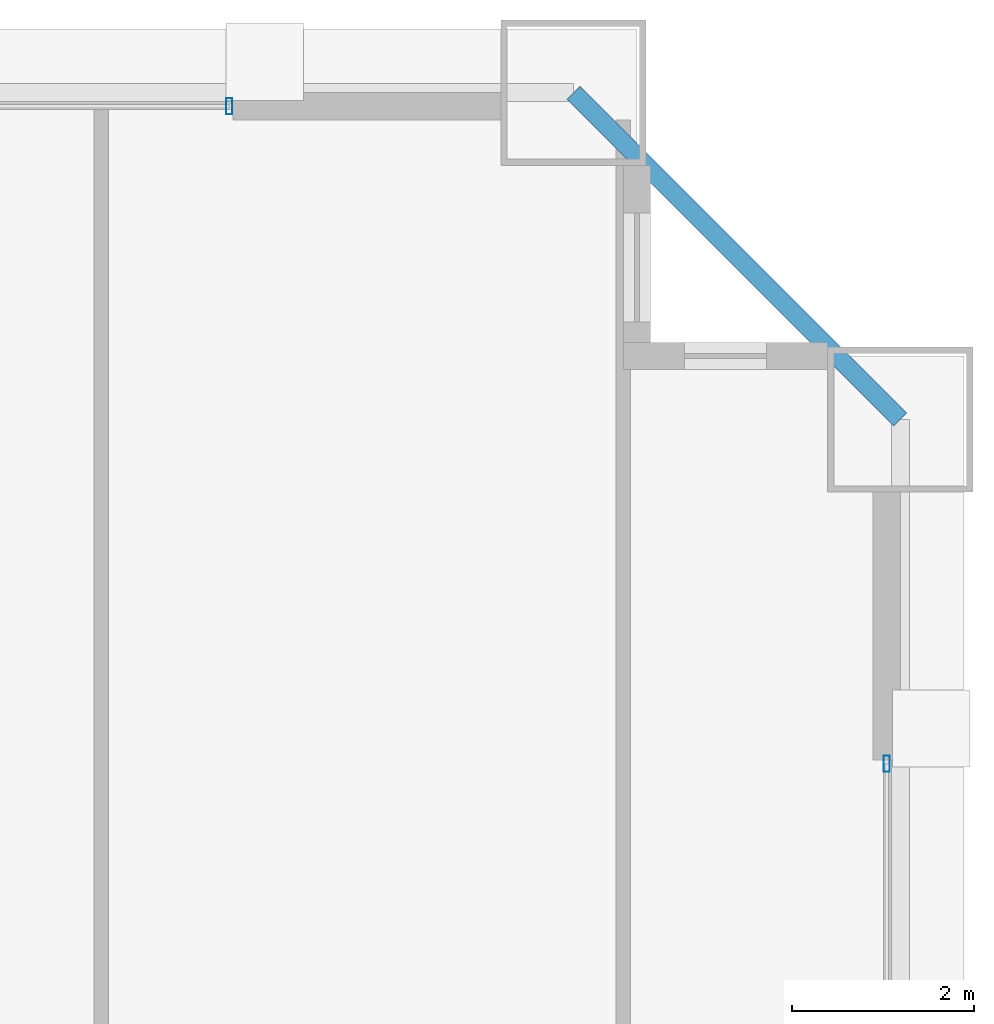
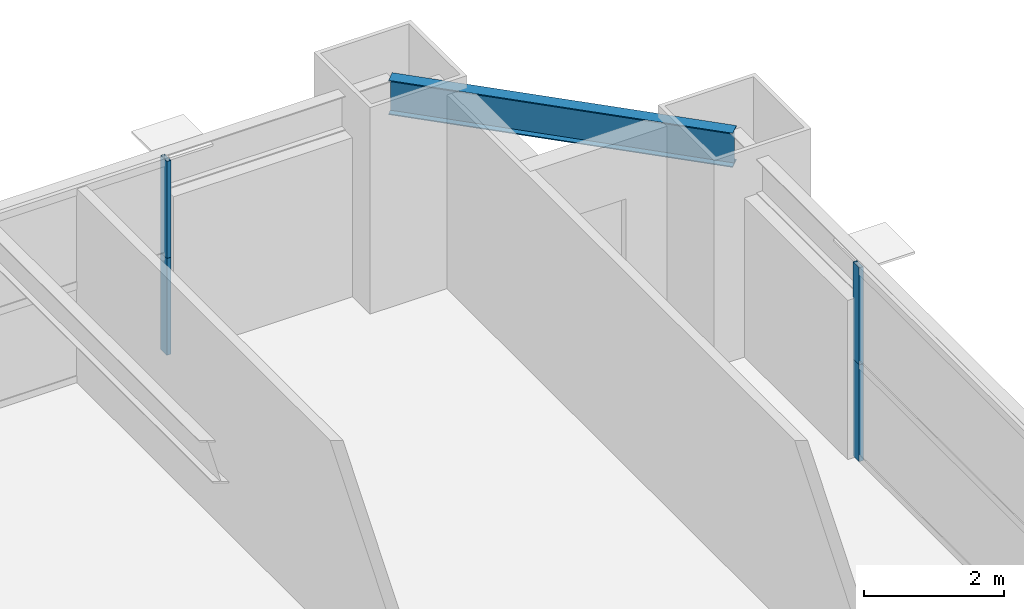
# One storey, part 33 of 39: 4 members, 1 beam, 2 elements without a shape of their own.
"""IFC4 building model written with IfcOpenShell, lengths in metres."""

from ifc_helpers import new_model, si_unit, direction, frame, origin, origin_2d, place, context, subcontext, project, spatial, hollow_rectangle, i_section, extrude, source, transform, mapped, material, layer, layer_set, material_profile, profile_set, type_object, element, aggregate, save


model = new_model("IFC4")

# Units and contexts
model_context = context("Model", 3, precision=1e-05, world=origin(), true_north=direction((0.0, 1.0)))
body_context = subcontext(model_context, "Body", "Model", "MODEL_VIEW")
ifc_project = project(units=[si_unit("LENGTHUNIT", "METRE"), si_unit("AREAUNIT", "SQUARE_METRE"), si_unit("VOLUMEUNIT", "CUBIC_METRE"), si_unit("PLANEANGLEUNIT", "RADIAN"), si_unit("MASSUNIT", "GRAM", prefix="KILO"), si_unit("THERMODYNAMICTEMPERATUREUNIT", "KELVIN"), si_unit("POWERUNIT", "WATT")], contexts=[model_context])

# Site, building, storey
site_placement = place(None, origin())
site = spatial("IfcSite", under=ifc_project, at=site_placement, CompositionType="ELEMENT")
building_placement = place(site_placement, origin())
building = spatial("IfcBuilding", under=site, at=building_placement, Name="Yuzanri Waterfront Tower", CompositionType="ELEMENT")
storey_placement = place(building_placement, frame((0.0, 0.0, 148.800048828125)))
storey = spatial("IfcBuildingStorey", under=building, at=storey_placement, Name="L39", CompositionType="ELEMENT", Elevation=148.800048828125)

# Beam
ifc_material_1 = material(Name="Steel Q355B", Category="steel")
ifc_material_profile_1 = material_profile(ifc_material_1, i_section(OverallWidth=0.199951171875, OverallDepth=0.60009765625, WebThickness=0.010986328125, FlangeThickness=0.01708984375, at=origin_2d()), Name="HN 600x200x11x17")
ifc_profile_set_1 = profile_set([ifc_material_profile_1], Name="Steel Q355B")
beam_type = type_object("IfcBeamType", Name="Perimeter Spandrel Q355B HN 600x200", PredefinedType="SPANDREL", material=ifc_profile_set_1)
shared_shape_1 = source(origin(), body_context, "Body", "SweptSolid", [
    extrude(i_section(OverallWidth=0.199951171875, OverallDepth=0.60009765625, WebThickness=0.010986328125, FlangeThickness=0.01708984375, at=origin_2d()), origin(), (0.0, 0.0, 1.0), 5.091064453125),
])
beam_placement = place(storey_placement, frame((60.60009765625, 45.800048828125, 3.079833984375), z_axis=(-0.707130757816, 0.707082803744, 0.0), x_axis=(-0.707082803744, -0.707130757816, 0.0)))
element("IfcBeam", 1, at=beam_placement, inside=storey, type_object=beam_type, Name="L39 Perimeter Spandrel E3-N3", PredefinedType="SPANDREL", context=body_context, shape_type="MappedRepresentation", body=[
    mapped(shared_shape_1, transform((0.0, 0.0, 0.0), scale=1.0)),
])

# Curtain wall, members
ifc_material_2 = material(Name="Anodized Architectural Bronze", Category="metal")
ifc_layer = layer(ifc_material_2, 0.159912109375)
ifc_layer_set = layer_set([ifc_layer], Name="Anodized Architectural Bronze")
curtain_wall_type = type_object("IfcCurtainWallType", Name="Anodized Bronze Hotel Upper-Tier Solar-Control Unitized Curtain Wall 7800", PredefinedType="NOTDEFINED", material=ifc_layer_set)
curtain_wall_1_placement = place(storey_placement, origin())
curtain_wall_1 = element("IfcCurtainWall", 2, at=curtain_wall_1_placement, inside=storey, type_object=curtain_wall_type, Name="L39 Curtain Wall CW-L39-NR", PredefinedType="NOTDEFINED")
ifc_material_3 = material(Name="Anodized Architectural Bronze", Category="metal")
ifc_material_profile_2 = material_profile(ifc_material_3, hollow_rectangle(XDim=0.070068359375, YDim=0.179931640625, WallThickness=0.00390625, at=origin_2d()), Name="CWM 70x180")
ifc_profile_set_2 = profile_set([ifc_material_profile_2], Name="Anodized Architectural Bronze")
member_type = type_object("IfcMemberType", Name="Anodized Bronze Standard Curtain-Wall Mullion 70x180", PredefinedType="MULLION", material=ifc_profile_set_2)
shared_shape_2 = source(origin(), body_context, "Body", "SweptSolid", [
    extrude(hollow_rectangle(XDim=0.070068359375, YDim=0.179931640625, WallThickness=0.00390625, at=origin_2d()), origin(), (0.0, 0.0, 1.0), 1.68798828125),
])
member_1_placement = place(storey_placement, frame((53.2099609375, 49.25, 0.0), z_axis=(0.0, 0.0, 1.0), x_axis=(1.0, 0.0, 0.0)))
member_1 = element("IfcMember", 3, at=member_1_placement, type_object=member_type, Name="CW-L39-NR Lower Mullion 02", PredefinedType="MULLION", context=body_context, shape_type="MappedRepresentation", body=[
    mapped(shared_shape_2, transform((0.0, 0.0, 0.0), scale=1.0)),
])
member_2_placement = place(storey_placement, frame((53.2099609375, 49.25, 1.69189453125), z_axis=(0.0, 0.0, 1.0), x_axis=(1.0, 0.0, 0.0)))
member_2 = element("IfcMember", 4, at=member_2_placement, type_object=member_type, Name="CW-L39-NR Upper Mullion 02", PredefinedType="MULLION", context=body_context, shape_type="MappedRepresentation", body=[
    mapped(shared_shape_2, transform((0.0, 0.0, 0.0), scale=1.0)),
])
aggregate(curtain_wall_1, [member_1, member_2])

curtain_wall_2_placement = place(storey_placement, origin())
curtain_wall_2 = element("IfcCurtainWall", 5, at=curtain_wall_2_placement, inside=storey, type_object=curtain_wall_type, Name="L39 Curtain Wall CW-L39-ER", PredefinedType="NOTDEFINED")
member_3_placement = place(storey_placement, frame((60.449951171875, 42.010009765625, 0.0), z_axis=(0.0, 0.0, 1.0), x_axis=(1.0, 0.0, 0.0)))
member_3 = element("IfcMember", 6, at=member_3_placement, type_object=member_type, Name="CW-L39-ER Lower Mullion 02", PredefinedType="MULLION", context=body_context, shape_type="MappedRepresentation", body=[
    mapped(shared_shape_2, transform((0.0, 0.0, 0.0), scale=1.0)),
])
member_4_placement = place(storey_placement, frame((60.449951171875, 42.010009765625, 1.69189453125), z_axis=(0.0, 0.0, 1.0), x_axis=(1.0, 0.0, 0.0)))
member_4 = element("IfcMember", 7, at=member_4_placement, type_object=member_type, Name="CW-L39-ER Upper Mullion 02", PredefinedType="MULLION", context=body_context, shape_type="MappedRepresentation", body=[
    mapped(shared_shape_2, transform((0.0, 0.0, 0.0), scale=1.0)),
])
aggregate(curtain_wall_2, [member_3, member_4])

save(model, "model.ifc")
